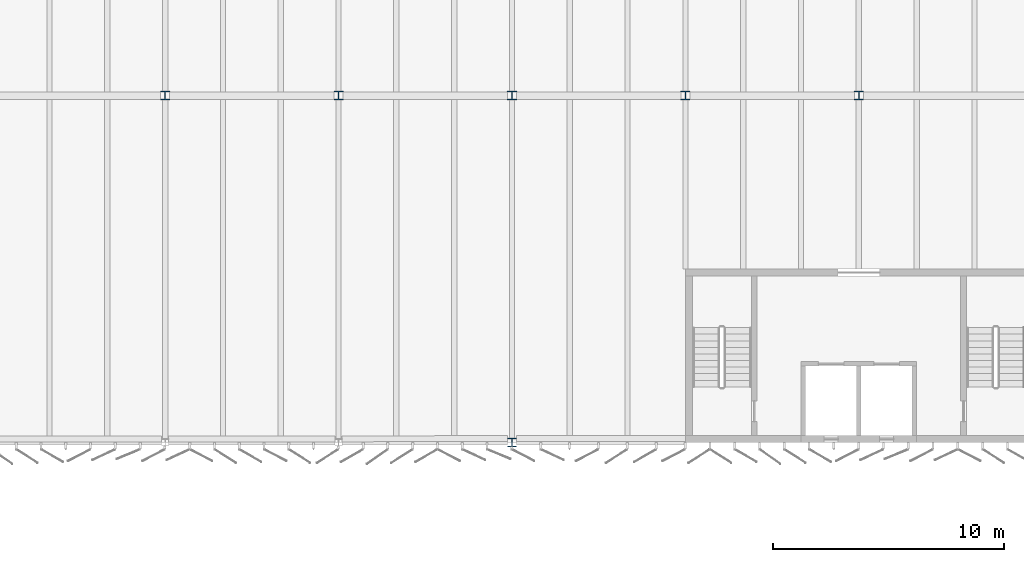
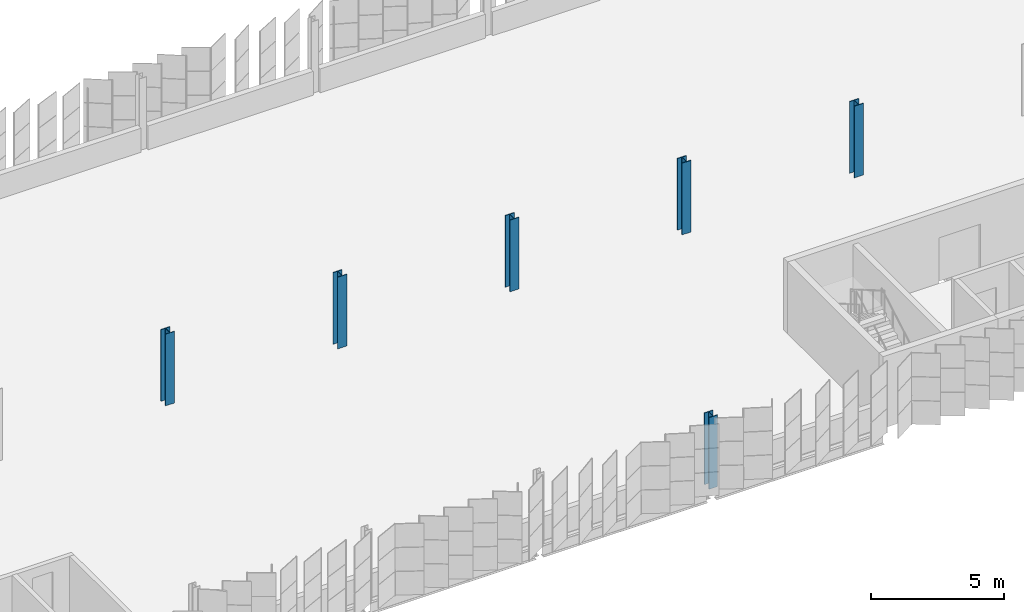
# One storey, part 17 of 214: 6 columns.
"""IFC4 building model written with IfcOpenShell, lengths in metres."""

import ifcopenshell
import ifcopenshell.guid

model = None  # the IFC model being written
_history = None  # IfcOwnerHistory: only IFC2X3 demands one
_inside = {}  # id of a spatial element -> (the spatial element, [elements in it])
_under = {}  # id of a project, library or spatial element -> (it, [spatial elements below it])
_declared = {}  # id of a project -> (the project, [libraries it declares])
_typed = {}  # id of a type object -> (the type object, [elements of that type])
_made_of = {}  # id of a material, layer set ... -> (it, [elements and type objects made of it])


def new_model(schema):
    """Start an empty IFC model of exactly this schema.

    Asked for "IFC4X3", IfcOpenShell would pick the latest addendum, in which some entities
    have other attributes; the version numbers below select the first issue.
    IFC2X3 requires an IfcOwnerHistory on every rooted entity: one is made here for all.
    """
    global model, _history
    if schema == "IFC4X3":
        model = ifcopenshell.file(schema_version=(4, 3, 0, 0))
    else:
        model = ifcopenshell.file(schema=schema)
    _inside.clear()
    _under.clear()
    _declared.clear()
    _typed.clear()
    _made_of.clear()
    _history = None
    if model.schema == "IFC2X3":
        org = make("IfcOrganization", Name="unknown")
        user = make(
            "IfcPersonAndOrganization",
            ThePerson=make("IfcPerson", FamilyName="unknown"),
            TheOrganization=org,
        )
        app = make(
            "IfcApplication",
            ApplicationDeveloper=org,
            Version="unknown",
            ApplicationFullName="unknown",
            ApplicationIdentifier="unknown",
        )
        _history = make(
            "IfcOwnerHistory",
            OwningUser=user,
            OwningApplication=app,
            ChangeAction="ADDED",
            CreationDate=0,
        )
    return model


def make(cls, **values):
    """One entity of the class cls with the attributes given. An attribute that is None is left unset."""
    return model.create_entity(
        cls, **{name: value for name, value in values.items() if value is not None}
    )


def rooted(cls, **values):
    """An entity with a GlobalId (a new one), such as an element, a storey or a relation."""
    return make(cls, GlobalId=ifcopenshell.guid.new(), OwnerHistory=_history, **values)


def si_unit(unit_type, name, prefix=None):
    """IfcSIUnit, for example si_unit("LENGTHUNIT", "METRE", prefix="MILLI")."""
    return make("IfcSIUnit", UnitType=unit_type, Prefix=prefix, Name=name)


def assignment(units):
    """IfcUnitAssignment: the units of a project."""
    return None if units is None else make("IfcUnitAssignment", Units=units)


def point(xyz):
    """IfcCartesianPoint."""
    return None if xyz is None else make("IfcCartesianPoint", Coordinates=xyz)


def direction(xyz):
    """IfcDirection."""
    return None if xyz is None else make("IfcDirection", DirectionRatios=xyz)


def frame(location, z_axis=None, x_axis=None):
    """IfcAxis2Placement3D, a coordinate frame: its origin and axes. An axis left out is left unset."""
    return make(
        "IfcAxis2Placement3D",
        Location=point(location),
        Axis=direction(z_axis),
        RefDirection=direction(x_axis),
    )


def frame_2d(location, x_axis=None):
    """IfcAxis2Placement2D, a coordinate frame in the plane: its origin and x axis."""
    return make(
        "IfcAxis2Placement2D", Location=point(location), RefDirection=direction(x_axis)
    )


def origin():
    """The frame at (0, 0, 0) with its axes left unset."""
    return frame((0.0, 0.0, 0.0))


def origin_2d():
    """The frame at (0, 0) in the plane with its x axis left unset."""
    return frame_2d((0.0, 0.0))


def place(relative_to, where):
    """IfcLocalPlacement: puts the frame where relative to a parent placement (None: the world)."""
    return make(
        "IfcLocalPlacement", PlacementRelTo=relative_to, RelativePlacement=where
    )


def context(
    kind, dimensions, precision=None, world=None, true_north=None, identifier=None
):
    """IfcGeometricRepresentationContext, for example the 3D "Model" context."""
    return make(
        "IfcGeometricRepresentationContext",
        ContextIdentifier=identifier,
        ContextType=kind,
        CoordinateSpaceDimension=dimensions,
        Precision=precision,
        WorldCoordinateSystem=world,
        TrueNorth=true_north,
    )


def subcontext(parent, identifier, kind, view, scale=None):
    """IfcGeometricRepresentationSubContext, for example "Body" below "Model"."""
    return make(
        "IfcGeometricRepresentationSubContext",
        ContextIdentifier=identifier,
        ContextType=kind,
        ParentContext=parent,
        TargetScale=scale,
        TargetView=view,
    )


def project(units=None, contexts=None):
    """IfcProject with its units and contexts."""
    return rooted(
        "IfcProject",
        Name="project",
        RepresentationContexts=contexts,
        UnitsInContext=assignment(units),
    )


def spatial(cls, under=None, at=None, **own):
    """A site, building, storey or space (cls), placed at a placement, below another one or the project."""
    s = rooted(cls, ObjectPlacement=at, **own)
    if under is not None:
        _under.setdefault(under.id(), (under, []))[1].append(s)
    return s


def profile(cls, at=None, kind="AREA", **sizes):
    """A parametric profile (cls). Its sizes go by their IFC names, for example OverallWidth=200.0."""
    return make(cls, ProfileType=kind, Position=at, **sizes)


def i_section(**sizes):
    """IfcIShapeProfileDef."""
    return profile("IfcIShapeProfileDef", **sizes)


def extrude(swept, where, along, depth):
    """IfcExtrudedAreaSolid: the profile swept, set in the frame where, extruded along a direction by depth."""
    return make(
        "IfcExtrudedAreaSolid",
        SweptArea=swept,
        Position=where,
        ExtrudedDirection=direction(along),
        Depth=depth,
    )


def shape(context_of_items, identifier, shape_type, items):
    """IfcShapeRepresentation: the items that make up one representation, for example the "Body"."""
    return make(
        "IfcShapeRepresentation",
        ContextOfItems=context_of_items,
        RepresentationIdentifier=identifier,
        RepresentationType=shape_type,
        Items=items,
    )


def material(Name=None, Category=None):
    """IfcMaterial."""
    return make("IfcMaterial", Name=Name, Category=Category)


def material_profile(
    of_material, cross_section, Name=None, Category=None, Priority=None
):
    """IfcMaterialProfile: a cross section and its material."""
    return make(
        "IfcMaterialProfile",
        Name=Name,
        Material=of_material,
        Profile=cross_section,
        Priority=Priority,
        Category=Category,
    )


def profile_set(profiles, Name=None, composite=None):
    """IfcMaterialProfileSet."""
    return make(
        "IfcMaterialProfileSet",
        Name=Name,
        MaterialProfiles=profiles,
        CompositeProfile=composite,
    )


def made_of(thing, what):
    """Note that an element or type object is made of a material, layer set ...; save() writes the relation."""
    if what is not None:
        _made_of.setdefault(what.id(), (what, []))[1].append(thing)
    return thing


def type_object(cls, material=None, **own):
    """A type object (cls), such as IfcWallType, which elements share."""
    return made_of(rooted(cls, **own), material)


def element(
    cls,
    number,
    at=None,
    inside=None,
    cuts=None,
    type_object=None,
    material=None,
    context=None,
    identifier="Body",
    shape_type=None,
    held_by="IfcProductDefinitionShape",
    body=None,
    shapes=None,
    **own,
):
    """One element of the class cls, such as IfcWall. Its Tag is "e" and its number.

    at: its placement. inside: the storey or other place that contains it. cuts: it is an
    opening in that element (IfcRelVoidsElement). A single representation is given by context,
    identifier, shape_type and body (its items); several are given by shapes. held_by: the class
    of the entity that holds the representations. save() writes the other relations.
    """
    e = rooted(cls, Tag="e%d" % number, ObjectPlacement=at, **own)
    if body is not None:
        shapes = [shape(context, identifier, shape_type, body)]
    if shapes is not None:
        e.Representation = make(held_by, Representations=shapes)
    if inside is not None:
        _inside.setdefault(inside.id(), (inside, []))[1].append(e)
    if cuts is not None:
        rooted(
            "IfcRelVoidsElement", RelatingBuildingElement=cuts, RelatedOpeningElement=e
        )
    if type_object is not None:
        _typed.setdefault(type_object.id(), (type_object, []))[1].append(e)
    return made_of(e, material)


def aggregate(whole, parts):
    """IfcRelAggregates: a whole, such as a stair, and the parts it consists of."""
    return rooted("IfcRelAggregates", RelatingObject=whole, RelatedObjects=parts)


def save(model, path):
    """Write the relations noted so far, then the file.

    IfcRelAggregates (storeys below a building ...), IfcRelContainedInSpatialStructure (elements
    in a storey), IfcRelDefinesByType, IfcRelAssociatesMaterial and IfcRelDeclares: one each for
    every whole, place, type object, material and project.
    """
    for whole, parts in _under.values():
        aggregate(whole, parts)
    for where, things in _inside.values():
        rooted(
            "IfcRelContainedInSpatialStructure",
            RelatedElements=things,
            RelatingStructure=where,
        )
    for kind, things in _typed.values():
        rooted("IfcRelDefinesByType", RelatedObjects=things, RelatingType=kind)
    for what, things in _made_of.values():
        rooted("IfcRelAssociatesMaterial", RelatedObjects=things, RelatingMaterial=what)
    for by, libraries in _declared.values():
        rooted("IfcRelDeclares", RelatingContext=by, RelatedDefinitions=libraries)
    model.write(path)


model = new_model("IFC4")

# Units and contexts
model_context = context("Model", 3, precision=1e-05, world=origin(), true_north=direction((0.0, 1.0)))
body_context = subcontext(model_context, "Body", "Model", "MODEL_VIEW")
ifc_project = project(units=[si_unit("LENGTHUNIT", "METRE"), si_unit("AREAUNIT", "SQUARE_METRE"), si_unit("VOLUMEUNIT", "CUBIC_METRE"), si_unit("PLANEANGLEUNIT", "RADIAN"), si_unit("MASSUNIT", "GRAM", prefix="KILO")], contexts=[model_context])

# Site, building, storey
site_placement = place(None, origin())
site = spatial("IfcSite", under=ifc_project, at=site_placement, CompositionType="ELEMENT")
building_placement = place(site_placement, origin())
building = spatial("IfcBuilding", under=site, at=building_placement, Name="Parallax Yard Mobility Hub", CompositionType="ELEMENT")
storey_placement = place(building_placement, frame((0.0, 0.0, 3.300048828125)))
storey = spatial("IfcBuildingStorey", under=building, at=storey_placement, Name="L01", CompositionType="ELEMENT", Elevation=3.300048828125)

# Columns
ifc_material = material(Name="Steel ASTM A992", Category="steel")
ifc_material_profile_1 = material_profile(ifc_material, i_section(OverallWidth=0.373046875, OverallDepth=0.373046875, WebThickness=0.016357421875, FlangeThickness=0.026123046875, FilletRadius=0.01513671875, at=origin_2d()), Name="W360x196")
ifc_profile_set_1 = profile_set([ifc_material_profile_1], Name="Steel ASTM A992")
column_type_1 = type_object("IfcColumnType", Name="W360x196 column", PredefinedType="COLUMN", material=ifc_profile_set_1)
column_placement = place(storey_placement, frame((120.0, 112.5, 0.0), z_axis=(0.0, 0.0, 1.0), x_axis=(1.0, 0.0, 0.0)))
element("IfcColumn", 1, at=column_placement, inside=storey, type_object=column_type_1, Name="Column C8 level L01 at R/17 of ramped parking decks", PredefinedType="COLUMN", context=body_context, shape_type="SweptSolid", body=[
    extrude(i_section(OverallWidth=0.373046875, OverallDepth=0.373046875, WebThickness=0.016357421875, FlangeThickness=0.026123046875, FilletRadius=0.01513671875, at=origin_2d()), origin(), (0.0, 0.0, 1.0), 3.300048828125),
])
ifc_material_profile_2 = material_profile(ifc_material, i_section(OverallWidth=0.39404296875, OverallDepth=0.3759765625, WebThickness=0.017333984375, FlangeThickness=0.027587890625, FilletRadius=0.01513671875, at=origin_2d()), Name="W360x216")
ifc_profile_set_2 = profile_set([ifc_material_profile_2], Name="Steel ASTM A992")
column_type_2 = type_object("IfcColumnType", Name="W360x216 column", PredefinedType="COLUMN", material=ifc_profile_set_2)
for number, where, z_axis, x_axis, name in (
    (2, (105.0, 127.5, 0.0), (0.0, 0.0, 1.0), (1.0, 0.0, 0.0), "Column C9 level L01 at T/15 of ramped parking decks"),
    (3, (112.5, 127.5, 0.0), (0.0, 0.0, 1.0), (1.0, 0.0, 0.0), "Column C9 level L01 at T/16 of ramped parking decks"),
    (4, (120.0, 127.5, 0.0), (0.0, 0.0, 1.0), (1.0, 0.0, 0.0), "Column C9 level L01 at T/17 of ramped parking decks"),
):
    element("IfcColumn", number, at=place(storey_placement, frame(where, z_axis=z_axis, x_axis=x_axis)), inside=storey, type_object=column_type_2, Name=name, PredefinedType="COLUMN", context=body_context, shape_type="SweptSolid", body=[
        extrude(i_section(OverallWidth=0.39404296875, OverallDepth=0.3759765625, WebThickness=0.017333984375, FlangeThickness=0.027587890625, FilletRadius=0.01513671875, at=origin_2d()), origin(), (0.0, 0.0, 1.0), 3.300048828125),
    ])
ifc_material_profile_3 = material_profile(ifc_material, i_section(OverallWidth=0.39599609375, OverallDepth=0.381103515625, WebThickness=0.018798828125, FlangeThickness=0.0302734375, FilletRadius=0.015380859375, at=origin_2d()), Name="W360x237")
ifc_profile_set_3 = profile_set([ifc_material_profile_3], Name="Steel ASTM A992")
column_type_3 = type_object("IfcColumnType", Name="W360x237 column", PredefinedType="COLUMN", material=ifc_profile_set_3)
for number, where, z_axis, x_axis, name in (
    (5, (127.5, 127.5, 0.0), (0.0, 0.0, 1.0), (1.0, 0.0, 0.0), "Column C10 level L01 at T/18 of ramped parking decks"),
    (6, (135.0, 127.5, 0.0), (0.0, 0.0, 1.0), (1.0, 0.0, 0.0), "Column C10 level L01 at T/19 of ramped parking decks"),
):
    element("IfcColumn", number, at=place(storey_placement, frame(where, z_axis=z_axis, x_axis=x_axis)), inside=storey, type_object=column_type_3, Name=name, PredefinedType="COLUMN", context=body_context, shape_type="SweptSolid", body=[
        extrude(i_section(OverallWidth=0.39599609375, OverallDepth=0.381103515625, WebThickness=0.018798828125, FlangeThickness=0.0302734375, FilletRadius=0.015380859375, at=origin_2d()), origin(), (0.0, 0.0, 1.0), 3.300048828125),
    ])

save(model, "model.ifc")
